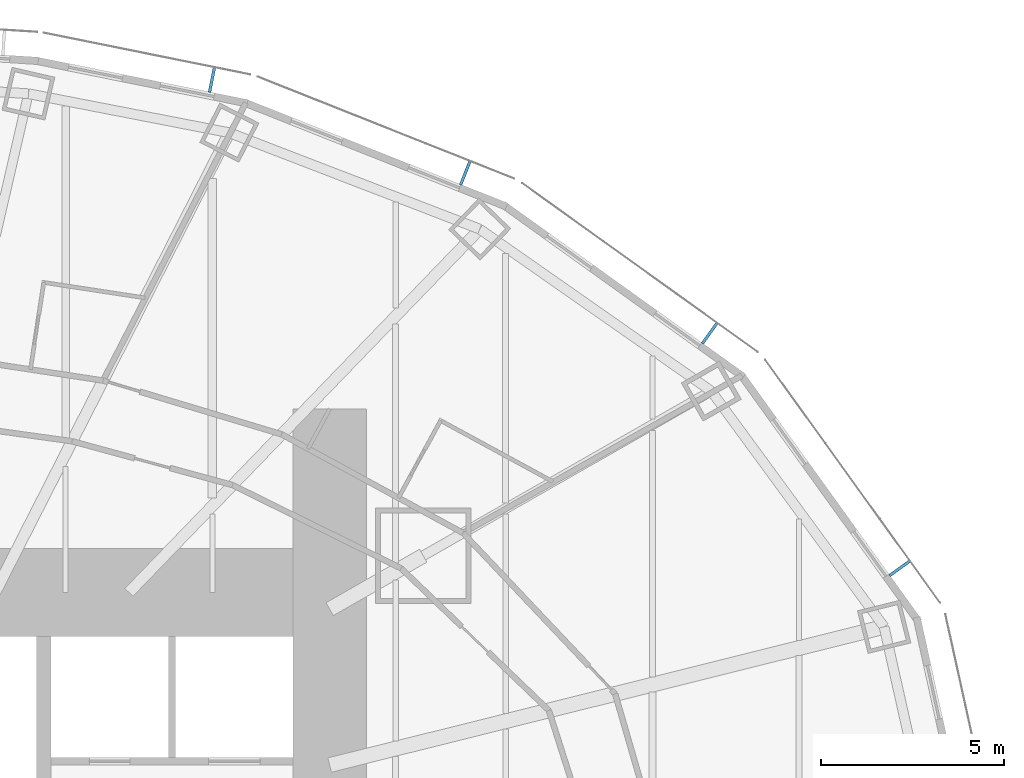
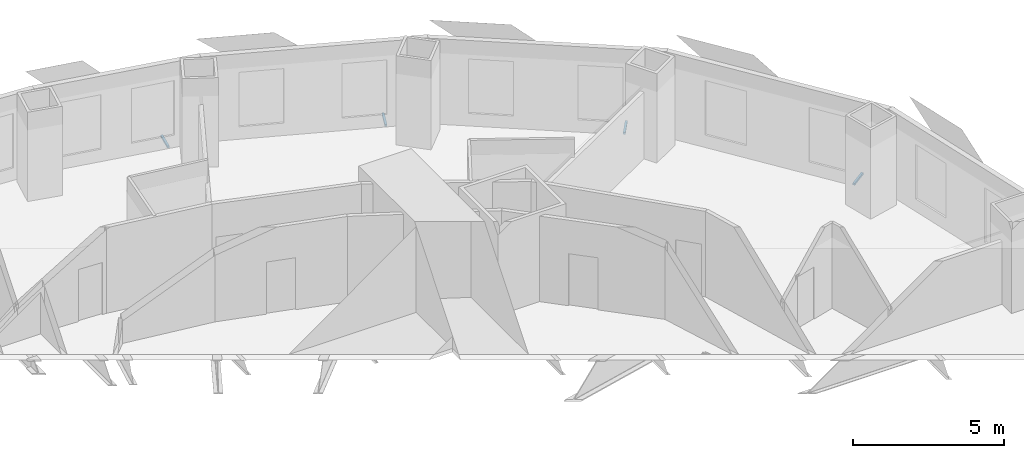
# One storey, part 12 of 15: 4 discrete accessories.
"""IFC4 building model written with IfcOpenShell, lengths in metres."""

from ifc_helpers import new_model, si_unit, direction, frame, origin, origin_2d, place, context, subcontext, project, spatial, rectangle, extrude, element, save


model = new_model("IFC4")

# Units and contexts
model_context = context("Model", 3, precision=1e-05, world=origin(), true_north=direction((0.0, 1.0)))
body_context = subcontext(model_context, "Body", "Model", "MODEL_VIEW")
ifc_project = project(units=[si_unit("LENGTHUNIT", "METRE"), si_unit("AREAUNIT", "SQUARE_METRE"), si_unit("VOLUMEUNIT", "CUBIC_METRE"), si_unit("PLANEANGLEUNIT", "RADIAN"), si_unit("MASSUNIT", "GRAM", prefix="KILO")], contexts=[model_context])

# Site, building, storey
site_placement = place(None, origin())
site = spatial("IfcSite", under=ifc_project, at=site_placement, CompositionType="ELEMENT")
building_placement = place(site_placement, origin())
building = spatial("IfcBuilding", under=site, at=building_placement, Name="Lantaw Convention Tower", CompositionType="ELEMENT")
storey_placement = place(building_placement, frame((0.0, 0.0, 91.0)))
storey = spatial("IfcBuildingStorey", under=building, at=storey_placement, Name="L21", CompositionType="ELEMENT", Elevation=91.0)

# Discrete accessories
for number, where, z_axis, x_axis, name in (
    (1, (28.745849609375, 8.65869140625, -0.114990234375), (0.0, 0.0, 1.0), (-0.583951250436, 0.811788726895, 0.0), "Screen bracket"),
    (2, (23.564453125, 15.06640625, -0.114990234375), (0.0, 0.0, 1.0), (-0.812803733199, 0.5825376308, 0.0), "Screen bracket"),
    (3, (16.898193359375, 19.4345703125, -0.114990234375), (0.0, 0.0, 1.0), (-0.929361152748, 0.369171840425, 0.0), "Screen bracket"),
    (4, (9.990478515625, 21.974365234375, -0.114990234375), (0.0, 0.0, 1.0), (-0.980244604501, 0.197789067813, 0.0), "Screen bracket"),
):
    element("IfcDiscreteAccessory", number, at=place(storey_placement, frame(where, z_axis=z_axis, x_axis=x_axis)), inside=storey, Name=name, PredefinedType="BRACKET", context=body_context, shape_type="SweptSolid", body=[
        extrude(rectangle(XDim=0.080078125, YDim=0.68798828125, at=origin_2d()), origin(), (0.0, 0.0, 1.0), 0.080078125),
    ])

save(model, "model.ifc")
